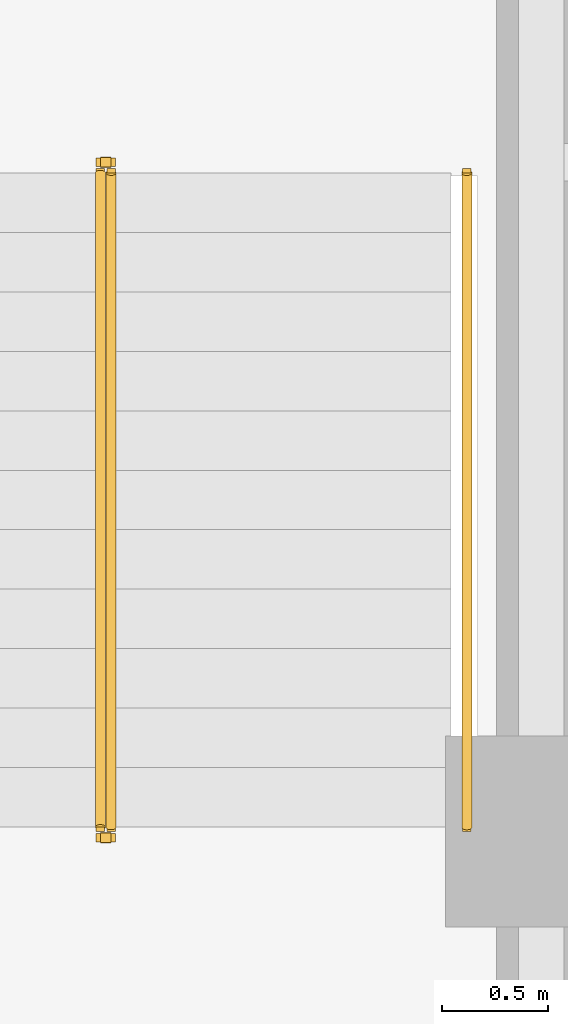
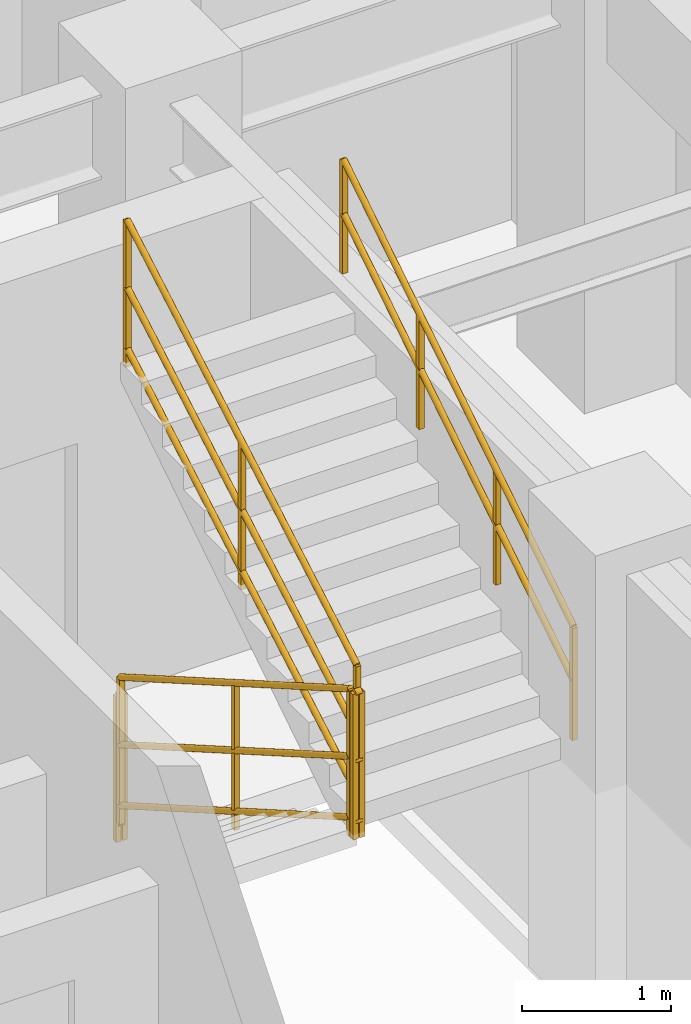
# One storey, part 9 of 10: 5 railings.
"""IFC4 building model written with IfcOpenShell, lengths in metres."""

from ifc_helpers import new_model, entity, si_unit, converted_unit, direction, frame, origin_with_axes, origin_2d_with_axis, place, context, subcontext, project, spatial, rectangle, circle, extrude, material, type_object, element, save


model = new_model("IFC4")

# Units and contexts
model_context = context("Model", 3, precision=1e-05, world=origin_with_axes(), true_north=direction((0.0, 1.0)))
body_context = subcontext(model_context, "Body", "Model", "MODEL_VIEW")
ifc_project = project(units=[si_unit("LENGTHUNIT", "METRE"), si_unit("AREAUNIT", "SQUARE_METRE"), si_unit("VOLUMEUNIT", "CUBIC_METRE"), converted_unit("PLANEANGLEUNIT", "DEGREE", entity("IfcPlaneAngleMeasure", 0.017453292519943295), si_unit("PLANEANGLEUNIT", "RADIAN"), dimensions=[0, 0, 0, 0, 0, 0, 0]), si_unit("MASSUNIT", "GRAM", prefix="KILO"), si_unit("THERMODYNAMICTEMPERATUREUNIT", "KELVIN")], contexts=[model_context])

# Site, building, storey
site_placement = place(None, origin_with_axes())
site = spatial("IfcSite", under=ifc_project, at=site_placement, CompositionType="ELEMENT")
building_placement = place(site_placement, origin_with_axes())
building = spatial("IfcBuilding", under=site, at=building_placement, Name="Varnlund Millrace Tower", CompositionType="ELEMENT")
storey_placement = place(building_placement, frame((0.0, 0.0, 228.6), z_axis=(0.0, 0.0, 1.0), x_axis=(1.0, 0.0, 0.0)))
storey = spatial("IfcBuildingStorey", under=building, at=storey_placement, Name="L56", CompositionType="ELEMENT", Elevation=228.6)

# Railings
ifc_material_1 = material(Name="Painted steel stair well balustrade guard", Category="steel")
railing_type_1 = type_object("IfcRailingType", Name="Type-StairGuard-1150", PredefinedType="GUARDRAIL", material=ifc_material_1)
railing_1_placement = place(storey_placement, frame((0.0, 0.0, -228.6), z_axis=(0.0, 0.0, 1.0), x_axis=(1.0, 0.0, 0.0)))
element("IfcRailing", 1, at=railing_1_placement, inside=storey, type_object=railing_type_1, Name="Type-StairGuard-1150", PredefinedType="GUARDRAIL", context=body_context, shape_type="SweptSolid", body=[
    extrude(circle(Radius=0.024, at=origin_2d_with_axis()), frame((45.975, 21.1, 229.927273), z_axis=(0.0, -0.866696, 0.498836), x_axis=(1.0, 0.0, 0.0)), (0.0, 0.0, 1.0), 3.553725),
    extrude(circle(Radius=0.024, at=origin_2d_with_axis()), frame((45.975, 21.1, 228.877273), z_axis=(0.0, -0.866696, 0.498836), x_axis=(1.0, 0.0, 0.0)), (0.0, 0.0, 1.0), 3.553725),
    extrude(circle(Radius=0.024, at=origin_2d_with_axis()), frame((45.975, 21.1, 229.375273), z_axis=(0.0, -0.866696, 0.498836), x_axis=(1.0, 0.0, 0.0)), (0.0, 0.0, 1.0), 3.553725),
    extrude(rectangle(XDim=0.04, YDim=0.04, at=origin_2d_with_axis()), frame((45.975, 21.1, 228.737273), z_axis=(0.0, 0.0, 1.0), x_axis=(1.0, 0.0, 0.0)), (0.0, 0.0, 1.0), 1.19),
    extrude(rectangle(XDim=0.04, YDim=0.04, at=origin_2d_with_axis()), frame((45.975, 19.56, 229.623636), z_axis=(0.0, 0.0, 1.0), x_axis=(1.0, 0.0, 0.0)), (0.0, 0.0, 1.0), 1.19),
    extrude(rectangle(XDim=0.04, YDim=0.04, at=origin_2d_with_axis()), frame((45.975, 18.02, 230.51), z_axis=(0.0, 0.0, 1.0), x_axis=(1.0, 0.0, 0.0)), (0.0, 0.0, 1.0), 1.19),
])
railing_2_placement = place(storey_placement, frame((0.0, 0.0, -228.6), z_axis=(0.0, 0.0, 1.0), x_axis=(1.0, 0.0, 0.0)))
element("IfcRailing", 2, at=railing_2_placement, inside=storey, type_object=railing_type_1, Name="Type-StairGuard-1150", PredefinedType="GUARDRAIL", context=body_context, shape_type="SweptSolid", body=[
    extrude(circle(Radius=0.024, at=origin_2d_with_axis()), frame((46.025, 17.97, 231.7), z_axis=(-1.0, 0.0, 0.0), x_axis=(0.0, -1.0, 0.0)), (0.0, 0.0, 1.0), 0.05),
    extrude(circle(Radius=0.024, at=origin_2d_with_axis()), frame((46.025, 17.97, 230.65), z_axis=(-1.0, 0.0, 0.0), x_axis=(0.0, -1.0, 0.0)), (0.0, 0.0, 1.0), 0.05),
    extrude(circle(Radius=0.024, at=origin_2d_with_axis()), frame((46.025, 17.97, 231.148), z_axis=(-1.0, 0.0, 0.0), x_axis=(0.0, -1.0, 0.0)), (0.0, 0.0, 1.0), 0.05),
    extrude(rectangle(XDim=0.04, YDim=0.04, at=origin_2d_with_axis()), frame((46.025, 17.97, 230.51), z_axis=(0.0, 0.0, 1.0), x_axis=(1.0, 0.0, 0.0)), (0.0, 0.0, 1.0), 1.19),
    extrude(rectangle(XDim=0.04, YDim=0.04, at=origin_2d_with_axis()), frame((45.975, 17.97, 230.51), z_axis=(0.0, 0.0, 1.0), x_axis=(1.0, 0.0, 0.0)), (0.0, 0.0, 1.0), 1.19),
])
railing_3_placement = place(storey_placement, frame((0.0, 0.0, -228.6), z_axis=(0.0, 0.0, 1.0), x_axis=(1.0, 0.0, 0.0)))
element("IfcRailing", 3, at=railing_3_placement, inside=storey, type_object=railing_type_1, Name="Type-StairGuard-1150", PredefinedType="GUARDRAIL", context=body_context, shape_type="SweptSolid", body=[
    extrude(circle(Radius=0.024, at=origin_2d_with_axis()), frame((46.025, 18.02, 231.877273), z_axis=(0.0, 0.866696, 0.498836), x_axis=(-1.0, 0.0, 0.0)), (0.0, 0.0, 1.0), 3.553725),
    extrude(circle(Radius=0.024, at=origin_2d_with_axis()), frame((46.025, 18.02, 230.827273), z_axis=(0.0, 0.866696, 0.498836), x_axis=(-1.0, 0.0, 0.0)), (0.0, 0.0, 1.0), 3.553725),
    extrude(circle(Radius=0.024, at=origin_2d_with_axis()), frame((46.025, 18.02, 231.325273), z_axis=(0.0, 0.866696, 0.498836), x_axis=(-1.0, 0.0, 0.0)), (0.0, 0.0, 1.0), 3.553725),
    extrude(rectangle(XDim=0.04, YDim=0.04, at=origin_2d_with_axis()), frame((46.025, 18.02, 230.687273), z_axis=(0.0, 0.0, 1.0), x_axis=(1.0, 0.0, 0.0)), (0.0, 0.0, 1.0), 1.19),
    extrude(rectangle(XDim=0.04, YDim=0.04, at=origin_2d_with_axis()), frame((46.025, 19.56, 231.573636), z_axis=(0.0, 0.0, 1.0), x_axis=(1.0, 0.0, 0.0)), (0.0, 0.0, 1.0), 1.19),
    extrude(rectangle(XDim=0.04, YDim=0.04, at=origin_2d_with_axis()), frame((46.025, 21.1, 232.46), z_axis=(0.0, 0.0, 1.0), x_axis=(1.0, 0.0, 0.0)), (0.0, 0.0, 1.0), 1.19),
])
railing_4_placement = place(storey_placement, frame((0.0, 0.0, -228.6), z_axis=(0.0, 0.0, 1.0), x_axis=(1.0, 0.0, 0.0)))
element("IfcRailing", 4, at=railing_4_placement, inside=storey, type_object=railing_type_1, Name="Type-StairGuard-1150", PredefinedType="GUARDRAIL", context=body_context, shape_type="SweptSolid", body=[
    extrude(circle(Radius=0.024, at=origin_2d_with_axis()), frame((46.025, 21.15, 229.75), z_axis=(-1.0, 0.0, 0.0), x_axis=(0.0, -1.0, 0.0)), (0.0, 0.0, 1.0), 0.05),
    extrude(circle(Radius=0.024, at=origin_2d_with_axis()), frame((46.025, 21.15, 228.7), z_axis=(-1.0, 0.0, 0.0), x_axis=(0.0, -1.0, 0.0)), (0.0, 0.0, 1.0), 0.05),
    extrude(circle(Radius=0.024, at=origin_2d_with_axis()), frame((46.025, 21.15, 229.198), z_axis=(-1.0, 0.0, 0.0), x_axis=(0.0, -1.0, 0.0)), (0.0, 0.0, 1.0), 0.05),
    extrude(rectangle(XDim=0.04, YDim=0.04, at=origin_2d_with_axis()), frame((46.025, 21.15, 228.56), z_axis=(0.0, 0.0, 1.0), x_axis=(1.0, 0.0, 0.0)), (0.0, 0.0, 1.0), 1.19),
    extrude(rectangle(XDim=0.04, YDim=0.04, at=origin_2d_with_axis()), frame((45.975, 21.15, 228.56), z_axis=(0.0, 0.0, 1.0), x_axis=(1.0, 0.0, 0.0)), (0.0, 0.0, 1.0), 1.19),
])
ifc_material_2 = material(Name="Brushed architectural bronze stair handrail", Category="aluminium")
railing_type_2 = type_object("IfcRailingType", Name="Type-StairHandrail-900", PredefinedType="HANDRAIL", material=ifc_material_2)
railing_5_placement = place(storey_placement, frame((0.0, 0.0, -228.6), z_axis=(0.0, 0.0, 1.0), x_axis=(1.0, 0.0, 0.0)))
element("IfcRailing", 5, at=railing_5_placement, inside=storey, type_object=railing_type_2, Name="Type-StairHandrail-900", PredefinedType="HANDRAIL", context=body_context, shape_type="SweptSolid", body=[
    extrude(circle(Radius=0.024, at=origin_2d_with_axis()), frame((47.7, 18.02, 231.606995), z_axis=(0.0, 0.844902, 0.534922), x_axis=(-1.0, 0.0, 0.0)), (0.0, 0.0, 1.0), 3.645394),
    extrude(circle(Radius=0.024, at=origin_2d_with_axis()), frame((47.7, 18.02, 231.167134), z_axis=(0.0, 0.844902, 0.534922), x_axis=(-1.0, 0.0, 0.0)), (0.0, 0.0, 1.0), 3.645394),
    extrude(rectangle(XDim=0.04, YDim=0.04, at=origin_2d_with_axis()), frame((47.7, 18.02, 230.687273), z_axis=(0.0, 0.0, 1.0), x_axis=(1.0, 0.0, 0.0)), (0.0, 0.0, 1.0), 0.919722),
    extrude(rectangle(XDim=0.04, YDim=0.04, at=origin_2d_with_axis()), frame((47.7, 19.046667, 231.337273), z_axis=(0.0, 0.0, 1.0), x_axis=(1.0, 0.0, 0.0)), (0.0, 0.0, 1.0), 0.919722),
    extrude(rectangle(XDim=0.04, YDim=0.04, at=origin_2d_with_axis()), frame((47.7, 20.073333, 231.987273), z_axis=(0.0, 0.0, 1.0), x_axis=(1.0, 0.0, 0.0)), (0.0, 0.0, 1.0), 0.919722),
    extrude(rectangle(XDim=0.04, YDim=0.04, at=origin_2d_with_axis()), frame((47.7, 21.1, 232.637273), z_axis=(0.0, 0.0, 1.0), x_axis=(1.0, 0.0, 0.0)), (0.0, 0.0, 1.0), 0.919722),
])

save(model, "model.ifc")
